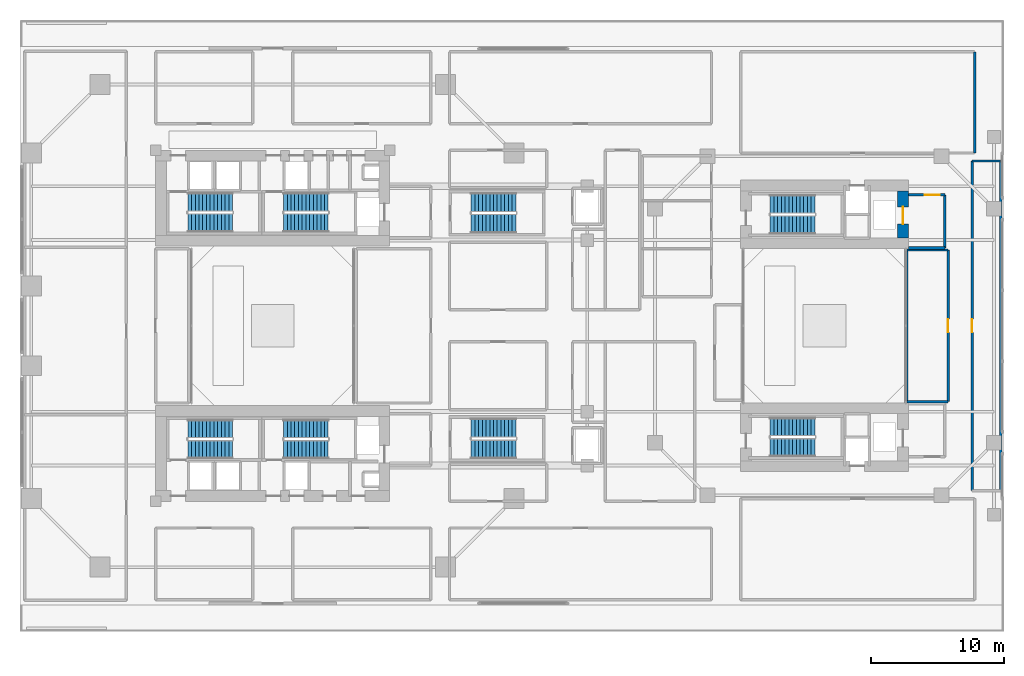
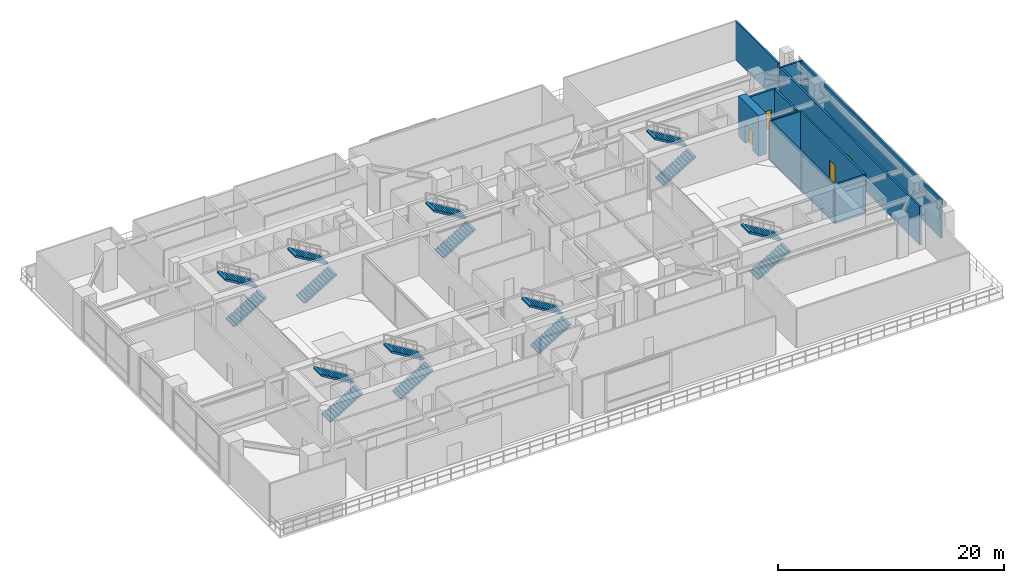
# One storey, part 15 of 19: 16 stair flights, 12 walls, 4 doors, 4 openings, 8 elements without a shape of their own.
"""IFC4 building model written with IfcOpenShell, lengths in metres."""

from ifc_helpers import new_model, si_unit, direction, frame, frame_2d, origin, place, context, subcontext, project, spatial, polyline, rectangle, outline, extrude, source, transform, mapped, material, layer, layer_set, type_object, element, fill, aggregate, save


model = new_model("IFC4")

# Units and contexts
model_context = context("Model", 3, precision=1e-05, world=origin(), true_north=direction((0.0, 1.0)))
body_context = subcontext(model_context, "Body", "Model", "MODEL_VIEW")
ifc_project = project(units=[si_unit("LENGTHUNIT", "METRE"), si_unit("AREAUNIT", "SQUARE_METRE"), si_unit("VOLUMEUNIT", "CUBIC_METRE"), si_unit("PLANEANGLEUNIT", "RADIAN"), si_unit("MASSUNIT", "GRAM", prefix="KILO"), si_unit("THERMODYNAMICTEMPERATUREUNIT", "KELVIN"), si_unit("POWERUNIT", "WATT")], contexts=[model_context])

# Site, building, storey
site_placement = place(None, origin())
site = spatial("IfcSite", under=ifc_project, at=site_placement, CompositionType="ELEMENT")
building_placement = place(site_placement, origin())
building = spatial("IfcBuilding", under=site, at=building_placement, Name="Qiaomeng Ring Towers", CompositionType="ELEMENT")
storey_placement = place(building_placement, frame((0.0, 0.0, 5.0)))
storey = spatial("IfcBuildingStorey", under=building, at=storey_placement, Name="L01", CompositionType="ELEMENT", Elevation=5.0)

# Walls
ifc_material_1 = material(Name="Autoclaved aerated concrete block", Category="concrete")
ifc_layer_1 = layer(ifc_material_1, 0.199951171875, Name="Autoclaved aerated concrete block")
ifc_layer_set_1 = layer_set([ifc_layer_1], Name="Autoclaved aerated concrete block")
wall_type_1 = type_object("IfcWallType", Name="ARC-WL-PW1", PredefinedType="PARTITIONING", material=ifc_layer_set_1)
wall_1_placement = place(storey_placement, frame((66.800048828125, 28.85009765625, 0.0), z_axis=(0.0, 0.0, 1.0), x_axis=(1.0, 0.0, 0.0)))
element("IfcWall", 1, at=wall_1_placement, inside=storey, type_object=wall_type_1, Name="L01 Interior Wall PW1", PredefinedType="PARTITIONING", context=body_context, shape_type="SweptSolid", body=[
    extrude(rectangle(XDim=2.75, YDim=0.199951171875, at=frame_2d((1.375, 0.0))), origin(), (0.0, 0.0, 1.0), 4.179931640625),
])
wall_2_placement = place(storey_placement, frame((69.550048828125, 28.85009765625, 0.0), z_axis=(0.0, 0.0, 1.0), x_axis=(0.0, 1.0, 0.0)))
element("IfcWall", 2, at=wall_2_placement, inside=storey, type_object=wall_type_1, Name="L01 Interior Wall PW1", PredefinedType="PARTITIONING", context=body_context, shape_type="SweptSolid", body=[
    extrude(rectangle(XDim=4.0, YDim=0.199951171875, at=frame_2d((2.0, 0.0))), origin(), (0.0, 0.0, 1.0), 4.179931640625),
])

# Wall, opening, door
wall_3_placement = place(storey_placement, frame((66.800048828125, 32.85009765625, 0.0), z_axis=(0.0, 0.0, 1.0), x_axis=(1.0, 0.0, 0.0)))
wall_3 = element("IfcWall", 3, at=wall_3_placement, inside=storey, type_object=wall_type_1, Name="L01 Interior Wall PW1", PredefinedType="PARTITIONING", context=body_context, shape_type="SweptSolid", body=[
    extrude(rectangle(XDim=2.75, YDim=0.199951171875, at=frame_2d((1.375, 0.0))), origin(), (0.0, 0.0, 1.0), 4.179931640625),
])
opening_1_placement = place(wall_3_placement, frame((1.25, 0.0, 0.0)))
opening_1 = element("IfcOpeningElement", 4, at=opening_1_placement, cuts=wall_3, Name="Opening FD3", PredefinedType="OPENING", context=body_context, shape_type="SweptSolid", body=[
    extrude(rectangle(XDim=1.10009765625, YDim=2.050048828125, at=frame_2d((0.550048828125, 1.02490234375))), frame((0.0, 0.10986328125, 0.0), z_axis=(0.0, -1.0, 0.0), x_axis=(1.0, 0.0, 0.0)), (0.0, 0.0, 1.0), 0.219970703125),
])
ifc_material_2 = material(Name="Galvanised steel", Category="steel")
door_type_1 = type_object("IfcDoorType", Name="ARC-DR-FD3", OperationType="NOTDEFINED", PredefinedType="DOOR", material=ifc_material_2)
shared_shape_1 = source(origin(), body_context, "Body", "SweptSolid", [
    extrude(rectangle(XDim=1.10009765625, YDim=2.050048828125, at=frame_2d((0.550048828125, 1.02490234375))), frame((0.0, 0.02490234375, 0.0), z_axis=(0.0, -1.0, 0.0), x_axis=(1.0, 0.0, 0.0)), (0.0, 0.0, 1.0), 0.050048828125),
])
door_1_placement = place(opening_1_placement, origin())
door_1 = element("IfcDoor", 5, at=door_1_placement, inside=storey, type_object=door_type_1, Name="L01 Door FD3", OperationType="SINGLE_SWING_LEFT", OverallHeight=2.050048828125, OverallWidth=1.10009765625, PredefinedType="DOOR", context=body_context, shape_type="MappedRepresentation", body=[
    mapped(shared_shape_1, transform((0.0, 0.0, 0.0), x_axis=(1.0, 0.0, 0.0), y_axis=(0.0, 1.0, 0.0), z_axis=(0.0, 0.0, 1.0), scale=1.0)),
])
fill(opening_1, door_1)

# Walls
ifc_layer_2 = layer(ifc_material_1, 0.179931640625, Name="Autoclaved aerated concrete block")
ifc_layer_set_2 = layer_set([ifc_layer_2], Name="Autoclaved aerated concrete block")
wall_type_2 = type_object("IfcWallType", Name="ARC-WL-PW2", PredefinedType="PARTITIONING", material=ifc_layer_set_2)
for number, where, z_axis, x_axis, name in (
    (6, (66.699951171875, 17.300048828125, 0.0), (0.0, 0.0, 1.0), (1.0, 0.0, 0.0), "L01 Interior Wall PW2"),
    (7, (66.699951171875, 28.699951171875, 0.0), (0.0, 0.0, 1.0), (1.0, 0.0, 0.0), "L01 Interior Wall PW2"),
):
    element("IfcWall", number, at=place(storey_placement, frame(where, z_axis=z_axis, x_axis=x_axis)), inside=storey, type_object=wall_type_2, Name=name, PredefinedType="PARTITIONING", context=body_context, shape_type="SweptSolid", body=[
        extrude(rectangle(XDim=3.10009765625, YDim=0.179931640625, at=frame_2d((1.550048828125, 0.0))), origin(), (0.0, 0.0, 1.0), 4.179931640625),
    ])
wall_4_placement = place(storey_placement, frame((66.699951171875, 17.300048828125, 0.0), z_axis=(0.0, 0.0, 1.0), x_axis=(0.0, 1.0, 0.0)))
element("IfcWall", 8, at=wall_4_placement, inside=storey, type_object=wall_type_2, Name="L01 Interior Wall PW2", PredefinedType="PARTITIONING", context=body_context, shape_type="SweptSolid", body=[
    extrude(rectangle(XDim=11.39990234375, YDim=0.179931640625, at=frame_2d((5.699951171875, 0.0))), origin(), (0.0, 0.0, 1.0), 4.179931640625),
])

# Wall, opening, door
wall_5_placement = place(storey_placement, frame((69.800048828125, 17.300048828125, 0.0), z_axis=(0.0, 0.0, 1.0), x_axis=(0.0, 1.0, 0.0)))
wall_5 = element("IfcWall", 9, at=wall_5_placement, inside=storey, type_object=wall_type_2, Name="L01 Interior Wall PW2", PredefinedType="PARTITIONING", context=body_context, shape_type="SweptSolid", body=[
    extrude(rectangle(XDim=11.39990234375, YDim=0.179931640625, at=frame_2d((5.699951171875, 0.0))), origin(), (0.0, 0.0, 1.0), 4.179931640625),
])
opening_2_placement = place(wall_5_placement, frame((5.199951171875, 0.0, 0.0)))
opening_2 = element("IfcOpeningElement", 10, at=opening_2_placement, cuts=wall_5, Name="Opening FD4", PredefinedType="OPENING", context=body_context, shape_type="SweptSolid", body=[
    extrude(rectangle(XDim=1.0, YDim=2.050048828125, at=frame_2d((0.5, 1.02490234375))), frame((0.0, 0.099853515625, 0.0), z_axis=(0.0, -1.0, 0.0), x_axis=(1.0, 0.0, 0.0)), (0.0, 0.0, 1.0), 0.199951171875),
])
ifc_material_3 = material(Name="Engineered fire-rated oak timber", Category="wood")
door_type_2 = type_object("IfcDoorType", Name="ARC-DR-FD4", OperationType="NOTDEFINED", PredefinedType="DOOR", material=ifc_material_3)
shared_shape_2 = source(origin(), body_context, "Body", "SweptSolid", [
    extrude(rectangle(XDim=1.0, YDim=2.050048828125, at=frame_2d((0.5, 1.02490234375))), frame((0.0, 0.02490234375, 0.0), z_axis=(0.0, -1.0, 0.0), x_axis=(1.0, 0.0, 0.0)), (0.0, 0.0, 1.0), 0.050048828125),
])
door_2_placement = place(opening_2_placement, origin())
door_2 = element("IfcDoor", 11, at=door_2_placement, inside=storey, type_object=door_type_2, Name="L01 L01 Health Education Seminar Room Door", OperationType="SINGLE_SWING_RIGHT", OverallHeight=2.050048828125, OverallWidth=1.0, PredefinedType="DOOR", context=body_context, shape_type="MappedRepresentation", body=[
    mapped(shared_shape_2, transform((0.0, 0.0, 0.0), x_axis=(1.0, 0.0, 0.0), y_axis=(0.0, 1.0, 0.0), z_axis=(0.0, 0.0, 1.0), scale=1.0)),
])
fill(opening_2, door_2)

# Wall
wall_6_placement = place(storey_placement, frame((71.60009765625, 35.39990234375, 0.0), z_axis=(0.0, 0.0, 1.0), x_axis=(1.0, 0.0, 0.0)))
element("IfcWall", 12, at=wall_6_placement, inside=storey, type_object=wall_type_2, Name="L01 Interior Wall PW2", PredefinedType="PARTITIONING", context=body_context, shape_type="SweptSolid", body=[
    extrude(rectangle(XDim=2.14990234375, YDim=0.179931640625, at=frame_2d((1.074951171875, 0.0))), origin(), (0.0, 0.0, 1.0), 4.179931640625),
])

# Wall, opening, door
wall_7_placement = place(storey_placement, frame((71.60009765625, 10.60009765625, 0.0), z_axis=(0.0, 0.0, 1.0), x_axis=(0.0, 1.0, 0.0)))
wall_7 = element("IfcWall", 13, at=wall_7_placement, inside=storey, type_object=wall_type_2, Name="L01 Interior Wall PW2", PredefinedType="PARTITIONING", context=body_context, shape_type="SweptSolid", body=[
    extrude(rectangle(XDim=24.7998046875, YDim=0.179931640625, at=frame_2d((12.39990234375, 0.0))), origin(), (0.0, 0.0, 1.0), 4.179931640625),
])
opening_3_placement = place(wall_7_placement, frame((11.89990234375, 0.0, 0.0)))
opening_3 = element("IfcOpeningElement", 14, at=opening_3_placement, cuts=wall_7, Name="Opening FD4", PredefinedType="OPENING", context=body_context, shape_type="SweptSolid", body=[
    extrude(rectangle(XDim=1.0, YDim=2.050048828125, at=frame_2d((0.5, 1.02490234375))), frame((0.0, 0.099853515625, 0.0), z_axis=(0.0, -1.0, 0.0), x_axis=(1.0, 0.0, 0.0)), (0.0, 0.0, 1.0), 0.199951171875),
])
door_3_placement = place(opening_3_placement, origin())
door_3 = element("IfcDoor", 15, at=door_3_placement, inside=storey, type_object=door_type_2, Name="L01 L01 Nutrition Counselling Office Door", OperationType="SINGLE_SWING_LEFT", OverallHeight=2.050048828125, OverallWidth=1.0, PredefinedType="DOOR", context=body_context, shape_type="MappedRepresentation", body=[
    mapped(shared_shape_2, transform((0.0, 0.0, 0.0), x_axis=(1.0, 0.0, 0.0), y_axis=(0.0, 1.0, 0.0), z_axis=(0.0, 0.0, 1.0), scale=1.0)),
])
fill(opening_3, door_3)

# Walls
wall_8_placement = place(storey_placement, frame((73.75, 10.60009765625, 0.0), z_axis=(0.0, 0.0, 1.0), x_axis=(0.0, 1.0, 0.0)))
element("IfcWall", 16, at=wall_8_placement, inside=storey, type_object=wall_type_2, Name="L01 Interior Wall PW2", PredefinedType="PARTITIONING", context=body_context, shape_type="SweptSolid", body=[
    extrude(rectangle(XDim=24.7998046875, YDim=0.179931640625, at=frame_2d((12.39990234375, 0.0))), origin(), (0.0, 0.0, 1.0), 4.179931640625),
])
wall_9_placement = place(storey_placement, frame((71.800048828125, 36.0, 0.0), z_axis=(0.0, 0.0, 1.0), x_axis=(0.0, 1.0, 0.0)))
element("IfcWall", 17, at=wall_9_placement, inside=storey, type_object=wall_type_2, Name="L01 Interior Wall PW2", PredefinedType="PARTITIONING", context=body_context, shape_type="SweptSolid", body=[
    extrude(rectangle(XDim=7.60009765625, YDim=0.179931640625, at=frame_2d((3.800048828125, 0.0))), origin(), (0.0, 0.0, 1.0), 4.179931640625),
])

# Wall, opening, door
ifc_material_4 = material(Name="Concrete C60", Category="concrete")
ifc_layer_3 = layer(ifc_material_4, 0.800048828125, Name="Concrete C60")
ifc_layer_set_3 = layer_set([ifc_layer_3], Name="Concrete C60")
wall_type_3 = type_object("IfcWallType", Name="STR-WL-SW1", PredefinedType="SHEAR", material=ifc_layer_set_3)
wall_10_placement = place(storey_placement, frame((66.39990234375, 29.60009765625, 0.0), z_axis=(0.0, 0.0, 1.0), x_axis=(0.0, 1.0, 0.0)))
wall_10 = element("IfcWall", 18, at=wall_10_placement, inside=storey, type_object=wall_type_3, Name="L01 T2NC east core shear wall", PredefinedType="SHEAR", context=body_context, shape_type="SweptSolid", body=[
    extrude(rectangle(XDim=3.5498046875, YDim=0.800048828125, at=frame_2d((1.77490234375, 0.0))), origin(), (0.0, 0.0, 1.0), 4.39990234375),
])
opening_4_placement = place(wall_10_placement, frame((1.050048828125, 0.0, 0.0)))
opening_4 = element("IfcOpeningElement", 19, at=opening_4_placement, cuts=wall_10, Name="Opening LD2", PredefinedType="OPENING", context=body_context, shape_type="SweptSolid", body=[
    extrude(rectangle(XDim=1.300048828125, YDim=2.050048828125, at=frame_2d((0.64990234375, 1.02490234375))), frame((0.0, 0.409912109375, 0.0), z_axis=(0.0, -1.0, 0.0), x_axis=(1.0, 0.0, 0.0)), (0.0, 0.0, 1.0), 0.820068359375),
])
ifc_material_5 = material(Name="Stainless steel 316", Category="steel")
door_type_3 = type_object("IfcDoorType", Name="ARC-DR-LD2", OperationType="NOTDEFINED", PredefinedType="DOOR", material=ifc_material_5)
shared_shape_3 = source(origin(), body_context, "Body", "SweptSolid", [
    extrude(rectangle(XDim=1.300048828125, YDim=2.050048828125, at=frame_2d((0.64990234375, 1.02490234375))), frame((0.0, 0.02490234375, 0.0), z_axis=(0.0, -1.0, 0.0), x_axis=(1.0, 0.0, 0.0)), (0.0, 0.0, 1.0), 0.050048828125),
])
door_4_placement = place(opening_4_placement, origin())
door_4 = element("IfcDoor", 20, at=door_4_placement, inside=storey, type_object=door_type_3, Name="L01 Firefighting Lift FL3 Landing Door", OperationType="SLIDING_TO_LEFT", OverallHeight=2.050048828125, OverallWidth=1.300048828125, PredefinedType="DOOR", context=body_context, shape_type="MappedRepresentation", body=[
    mapped(shared_shape_3, transform((0.0, 0.0, 0.0), x_axis=(1.0, 0.0, 0.0), y_axis=(0.0, 1.0, 0.0), z_axis=(0.0, 0.0, 1.0), scale=1.0)),
])
fill(opening_4, door_4)

# Stair, stair flights
ifc_material_6 = material(Name="Precast concrete C40", Category="concrete")
stair_type_1 = type_object("IfcStairType", Name="ARC-ST-440", PredefinedType="HALF_TURN_STAIR", material=ifc_material_6)
stair_1_placement = place(storey_placement, origin())
stair_1 = element("IfcStair", 21, at=stair_1_placement, inside=storey, type_object=stair_type_1, Name="L01 Tower 1 North Stair 1", PredefinedType="HALF_TURN_STAIR")
stair_flight_type_1 = type_object("IfcStairFlightType", Name="ARC-ST-440-FL", PredefinedType="STRAIGHT", material=ifc_material_6)
shared_shape_4 = source(origin(), body_context, "Body", "SweptSolid", [
    extrude(outline(polyline([(0.0, 0.0), (0.0, 0.169189453125), (0.280029296875, 0.169189453125), (0.280029296875, 0.33837890625), (0.56005859375, 0.33837890625), (0.56005859375, 0.5078125), (0.840087890625, 0.5078125), (0.840087890625, 0.677001953125), (1.1201171875, 0.677001953125), (1.1201171875, 0.84619140625), (1.39990234375, 0.84619140625), (1.39990234375, 1.015380859375), (1.679931640625, 1.015380859375), (1.679931640625, 1.1845703125), (1.9599609375, 1.1845703125), (1.9599609375, 1.353759765625), (2.239990234375, 1.353759765625), (2.239990234375, 1.523193359375), (2.52001953125, 1.523193359375), (2.52001953125, 1.6923828125), (2.800048828125, 1.6923828125), (2.800048828125, 1.861572265625), (3.080078125, 1.861572265625), (3.080078125, 2.03076171875), (3.360107421875, 2.03076171875), (3.360107421875, 2.199951171875), (3.360107421875, 1.855712890625), (0.289794921875, 0.0), (0.0, 0.0)])), frame((0.0, 0.699951171875, 0.0), z_axis=(0.0, -1.0, 0.0), x_axis=(1.0, 0.0, 0.0)), (0.0, 0.0, 1.0), 1.39990234375),
])
stair_flight_1_placement = place(storey_placement, frame((12.6201171875, 30.75, 0.0), z_axis=(0.0, 0.0, 1.0), x_axis=(1.0, 0.0, 0.0)))
stair_flight_1 = element("IfcStairFlight", 22, at=stair_flight_1_placement, type_object=stair_flight_type_1, Name="ST1 flight 1", NumberOfRisers=13, NumberOfTreads=12, PredefinedType="STRAIGHT", RiserHeight=0.169230769, TreadLength=0.28, context=body_context, shape_type="MappedRepresentation", body=[
    mapped(shared_shape_4, transform((0.0, 0.0, 0.0), x_axis=(1.0, 0.0, 0.0), y_axis=(0.0, 1.0, 0.0), z_axis=(0.0, 0.0, 1.0), scale=1.0)),
])
stair_flight_2_placement = place(storey_placement, frame((15.97998046875, 32.2900390625, 2.199951171875), z_axis=(0.0, 0.0, 1.0), x_axis=(-1.0, 0.0, 0.0)))
stair_flight_2 = element("IfcStairFlight", 23, at=stair_flight_2_placement, type_object=stair_flight_type_1, Name="ST1 flight 2", NumberOfRisers=13, NumberOfTreads=12, PredefinedType="STRAIGHT", RiserHeight=0.169230769, TreadLength=0.28, context=body_context, shape_type="MappedRepresentation", body=[
    mapped(shared_shape_4, transform((0.0, 0.0, 0.0), x_axis=(1.0, 0.0, 0.0), y_axis=(0.0, 1.0, 0.0), z_axis=(0.0, 0.0, 1.0), scale=1.0)),
])
aggregate(stair_1, [stair_flight_1, stair_flight_2])

stair_2_placement = place(storey_placement, origin())
stair_2 = element("IfcStair", 24, at=stair_2_placement, inside=storey, type_object=stair_type_1, Name="L01 Tower 1 North Stair 2", PredefinedType="HALF_TURN_STAIR")
stair_flight_3_placement = place(storey_placement, frame((19.820068359375, 30.75, 0.0), z_axis=(0.0, 0.0, 1.0), x_axis=(1.0, 0.0, 0.0)))
stair_flight_3 = element("IfcStairFlight", 25, at=stair_flight_3_placement, type_object=stair_flight_type_1, Name="ST2 flight 1", NumberOfRisers=13, NumberOfTreads=12, PredefinedType="STRAIGHT", RiserHeight=0.169230769, TreadLength=0.28, context=body_context, shape_type="MappedRepresentation", body=[
    mapped(shared_shape_4, transform((0.0, 0.0, 0.0), x_axis=(1.0, 0.0, 0.0), y_axis=(0.0, 1.0, 0.0), z_axis=(0.0, 0.0, 1.0), scale=1.0)),
])
stair_flight_4_placement = place(storey_placement, frame((23.179931640625, 32.2900390625, 2.199951171875), z_axis=(0.0, 0.0, 1.0), x_axis=(-1.0, 0.0, 0.0)))
stair_flight_4 = element("IfcStairFlight", 26, at=stair_flight_4_placement, type_object=stair_flight_type_1, Name="ST2 flight 2", NumberOfRisers=13, NumberOfTreads=12, PredefinedType="STRAIGHT", RiserHeight=0.169230769, TreadLength=0.28, context=body_context, shape_type="MappedRepresentation", body=[
    mapped(shared_shape_4, transform((0.0, 0.0, 0.0), x_axis=(1.0, 0.0, 0.0), y_axis=(0.0, 1.0, 0.0), z_axis=(0.0, 0.0, 1.0), scale=1.0)),
])
aggregate(stair_2, [stair_flight_3, stair_flight_4])

stair_3_placement = place(storey_placement, origin())
stair_3 = element("IfcStair", 27, at=stair_3_placement, inside=storey, type_object=stair_type_1, Name="L01 Tower 1 South Stair 3", PredefinedType="HALF_TURN_STAIR")
stair_flight_5_placement = place(storey_placement, frame((12.6201171875, 13.7099609375, 0.0), z_axis=(0.0, 0.0, 1.0), x_axis=(1.0, 0.0, 0.0)))
stair_flight_5 = element("IfcStairFlight", 28, at=stair_flight_5_placement, type_object=stair_flight_type_1, Name="ST3 flight 1", NumberOfRisers=13, NumberOfTreads=12, PredefinedType="STRAIGHT", RiserHeight=0.169230769, TreadLength=0.28, context=body_context, shape_type="MappedRepresentation", body=[
    mapped(shared_shape_4, transform((0.0, 0.0, 0.0), x_axis=(1.0, 0.0, 0.0), y_axis=(0.0, 1.0, 0.0), z_axis=(0.0, 0.0, 1.0), scale=1.0)),
])
stair_flight_6_placement = place(storey_placement, frame((15.97998046875, 15.25, 2.199951171875), z_axis=(0.0, 0.0, 1.0), x_axis=(-1.0, 0.0, 0.0)))
stair_flight_6 = element("IfcStairFlight", 29, at=stair_flight_6_placement, type_object=stair_flight_type_1, Name="ST3 flight 2", NumberOfRisers=13, NumberOfTreads=12, PredefinedType="STRAIGHT", RiserHeight=0.169230769, TreadLength=0.28, context=body_context, shape_type="MappedRepresentation", body=[
    mapped(shared_shape_4, transform((0.0, 0.0, 0.0), x_axis=(1.0, 0.0, 0.0), y_axis=(0.0, 1.0, 0.0), z_axis=(0.0, 0.0, 1.0), scale=1.0)),
])
aggregate(stair_3, [stair_flight_5, stair_flight_6])

stair_4_placement = place(storey_placement, origin())
stair_4 = element("IfcStair", 30, at=stair_4_placement, inside=storey, type_object=stair_type_1, Name="L01 Tower 1 South Stair 4", PredefinedType="HALF_TURN_STAIR")
stair_flight_7_placement = place(storey_placement, frame((19.820068359375, 13.7099609375, 0.0), z_axis=(0.0, 0.0, 1.0), x_axis=(1.0, 0.0, 0.0)))
stair_flight_7 = element("IfcStairFlight", 31, at=stair_flight_7_placement, type_object=stair_flight_type_1, Name="ST4 flight 1", NumberOfRisers=13, NumberOfTreads=12, PredefinedType="STRAIGHT", RiserHeight=0.169230769, TreadLength=0.28, context=body_context, shape_type="MappedRepresentation", body=[
    mapped(shared_shape_4, transform((0.0, 0.0, 0.0), x_axis=(1.0, 0.0, 0.0), y_axis=(0.0, 1.0, 0.0), z_axis=(0.0, 0.0, 1.0), scale=1.0)),
])
stair_flight_8_placement = place(storey_placement, frame((23.179931640625, 15.25, 2.199951171875), z_axis=(0.0, 0.0, 1.0), x_axis=(-1.0, 0.0, 0.0)))
stair_flight_8 = element("IfcStairFlight", 32, at=stair_flight_8_placement, type_object=stair_flight_type_1, Name="ST4 flight 2", NumberOfRisers=13, NumberOfTreads=12, PredefinedType="STRAIGHT", RiserHeight=0.169230769, TreadLength=0.28, context=body_context, shape_type="MappedRepresentation", body=[
    mapped(shared_shape_4, transform((0.0, 0.0, 0.0), x_axis=(1.0, 0.0, 0.0), y_axis=(0.0, 1.0, 0.0), z_axis=(0.0, 0.0, 1.0), scale=1.0)),
])
aggregate(stair_4, [stair_flight_7, stair_flight_8])

stair_5_placement = place(storey_placement, origin())
stair_5 = element("IfcStair", 33, at=stair_5_placement, inside=storey, type_object=stair_type_1, Name="L01 Companion North Stair 5", PredefinedType="HALF_TURN_STAIR")
stair_flight_9_placement = place(storey_placement, frame((56.419921875, 30.60009765625, 0.0), z_axis=(0.0, 0.0, 1.0), x_axis=(1.0, 0.0, 0.0)))
stair_flight_9 = element("IfcStairFlight", 34, at=stair_flight_9_placement, type_object=stair_flight_type_1, Name="ST5 flight 1", NumberOfRisers=13, NumberOfTreads=12, PredefinedType="STRAIGHT", RiserHeight=0.169230769, TreadLength=0.28, context=body_context, shape_type="MappedRepresentation", body=[
    mapped(shared_shape_4, transform((0.0, 0.0, 0.0), x_axis=(1.0, 0.0, 0.0), y_axis=(0.0, 1.0, 0.0), z_axis=(0.0, 0.0, 1.0), scale=1.0)),
])
stair_flight_10_placement = place(storey_placement, frame((59.780029296875, 32.139892578125, 2.199951171875), z_axis=(0.0, 0.0, 1.0), x_axis=(-1.0, 0.0, 0.0)))
stair_flight_10 = element("IfcStairFlight", 35, at=stair_flight_10_placement, type_object=stair_flight_type_1, Name="ST5 flight 2", NumberOfRisers=13, NumberOfTreads=12, PredefinedType="STRAIGHT", RiserHeight=0.169230769, TreadLength=0.28, context=body_context, shape_type="MappedRepresentation", body=[
    mapped(shared_shape_4, transform((0.0, 0.0, 0.0), x_axis=(1.0, 0.0, 0.0), y_axis=(0.0, 1.0, 0.0), z_axis=(0.0, 0.0, 1.0), scale=1.0)),
])
aggregate(stair_5, [stair_flight_9, stair_flight_10])

stair_6_placement = place(storey_placement, origin())
stair_6 = element("IfcStair", 36, at=stair_6_placement, inside=storey, type_object=stair_type_1, Name="L01 Companion South Stair 6", PredefinedType="HALF_TURN_STAIR")
stair_flight_11_placement = place(storey_placement, frame((56.419921875, 13.860107421875, 0.0), z_axis=(0.0, 0.0, 1.0), x_axis=(1.0, 0.0, 0.0)))
stair_flight_11 = element("IfcStairFlight", 37, at=stair_flight_11_placement, type_object=stair_flight_type_1, Name="ST6 flight 1", NumberOfRisers=13, NumberOfTreads=12, PredefinedType="STRAIGHT", RiserHeight=0.169230769, TreadLength=0.28, context=body_context, shape_type="MappedRepresentation", body=[
    mapped(shared_shape_4, transform((0.0, 0.0, 0.0), x_axis=(1.0, 0.0, 0.0), y_axis=(0.0, 1.0, 0.0), z_axis=(0.0, 0.0, 1.0), scale=1.0)),
])
stair_flight_12_placement = place(storey_placement, frame((59.780029296875, 15.39990234375, 2.199951171875), z_axis=(0.0, 0.0, 1.0), x_axis=(-1.0, 0.0, 0.0)))
stair_flight_12 = element("IfcStairFlight", 38, at=stair_flight_12_placement, type_object=stair_flight_type_1, Name="ST6 flight 2", NumberOfRisers=13, NumberOfTreads=12, PredefinedType="STRAIGHT", RiserHeight=0.169230769, TreadLength=0.28, context=body_context, shape_type="MappedRepresentation", body=[
    mapped(shared_shape_4, transform((0.0, 0.0, 0.0), x_axis=(1.0, 0.0, 0.0), y_axis=(0.0, 1.0, 0.0), z_axis=(0.0, 0.0, 1.0), scale=1.0)),
])
aggregate(stair_6, [stair_flight_11, stair_flight_12])

stair_type_2 = type_object("IfcStairType", Name="ARC-ST-POD", PredefinedType="HALF_TURN_STAIR", material=ifc_material_6)
stair_7_placement = place(storey_placement, origin())
stair_7 = element("IfcStair", 39, at=stair_7_placement, inside=storey, type_object=stair_type_2, Name="L01 Podium Clinic North Stair 7", PredefinedType="HALF_TURN_STAIR")
stair_flight_type_2 = type_object("IfcStairFlightType", Name="ARC-ST-POD-FL", PredefinedType="STRAIGHT", material=ifc_material_6)
shared_shape_5 = source(origin(), body_context, "Body", "SweptSolid", [
    extrude(outline(polyline([(0.0, 0.0), (0.0, 0.169189453125), (0.280029296875, 0.169189453125), (0.280029296875, 0.33837890625), (0.56005859375, 0.33837890625), (0.56005859375, 0.5078125), (0.840087890625, 0.5078125), (0.840087890625, 0.677001953125), (1.1201171875, 0.677001953125), (1.1201171875, 0.84619140625), (1.39990234375, 0.84619140625), (1.39990234375, 1.015380859375), (1.679931640625, 1.015380859375), (1.679931640625, 1.1845703125), (1.9599609375, 1.1845703125), (1.9599609375, 1.353759765625), (2.239990234375, 1.353759765625), (2.239990234375, 1.523193359375), (2.52001953125, 1.523193359375), (2.52001953125, 1.6923828125), (2.800048828125, 1.6923828125), (2.800048828125, 1.861572265625), (3.080078125, 1.861572265625), (3.080078125, 2.03076171875), (3.360107421875, 2.03076171875), (3.360107421875, 2.199951171875), (3.360107421875, 1.855712890625), (0.289794921875, 0.0), (0.0, 0.0)])), frame((0.0, 0.72509765625, 0.0), z_axis=(0.0, -1.0, 0.0), x_axis=(1.0, 0.0, 0.0)), (0.0, 0.0, 1.0), 1.449951171875),
])
stair_flight_13_placement = place(storey_placement, frame((33.929931640625, 30.68505859375, 0.0), z_axis=(0.0, 0.0, 1.0), x_axis=(1.0, 0.0, 0.0)))
stair_flight_13 = element("IfcStairFlight", 40, at=stair_flight_13_placement, type_object=stair_flight_type_2, Name="ST7 flight 1", NumberOfRisers=13, NumberOfTreads=12, PredefinedType="STRAIGHT", RiserHeight=0.169230769, TreadLength=0.28, context=body_context, shape_type="MappedRepresentation", body=[
    mapped(shared_shape_5, transform((0.0, 0.0, 0.0), x_axis=(1.0, 0.0, 0.0), y_axis=(0.0, 1.0, 0.0), z_axis=(0.0, 0.0, 1.0), scale=1.0)),
])
stair_flight_14_placement = place(storey_placement, frame((37.2900390625, 32.27490234375, 2.199951171875), z_axis=(0.0, 0.0, 1.0), x_axis=(-1.0, 0.0, 0.0)))
stair_flight_14 = element("IfcStairFlight", 41, at=stair_flight_14_placement, type_object=stair_flight_type_2, Name="ST7 flight 2", NumberOfRisers=13, NumberOfTreads=12, PredefinedType="STRAIGHT", RiserHeight=0.169230769, TreadLength=0.28, context=body_context, shape_type="MappedRepresentation", body=[
    mapped(shared_shape_5, transform((0.0, 0.0, 0.0), x_axis=(1.0, 0.0, 0.0), y_axis=(0.0, 1.0, 0.0), z_axis=(0.0, 0.0, 1.0), scale=1.0)),
])
aggregate(stair_7, [stair_flight_13, stair_flight_14])

stair_8_placement = place(storey_placement, origin())
stair_8 = element("IfcStair", 42, at=stair_8_placement, inside=storey, type_object=stair_type_2, Name="L01 Podium Clinic South Stair 8", PredefinedType="HALF_TURN_STAIR")
stair_flight_15_placement = place(storey_placement, frame((33.929931640625, 13.72509765625, 0.0), z_axis=(0.0, 0.0, 1.0), x_axis=(1.0, 0.0, 0.0)))
stair_flight_15 = element("IfcStairFlight", 43, at=stair_flight_15_placement, type_object=stair_flight_type_2, Name="ST8 flight 1", NumberOfRisers=13, NumberOfTreads=12, PredefinedType="STRAIGHT", RiserHeight=0.169230769, TreadLength=0.28, context=body_context, shape_type="MappedRepresentation", body=[
    mapped(shared_shape_5, transform((0.0, 0.0, 0.0), x_axis=(1.0, 0.0, 0.0), y_axis=(0.0, 1.0, 0.0), z_axis=(0.0, 0.0, 1.0), scale=1.0)),
])
stair_flight_16_placement = place(storey_placement, frame((37.2900390625, 15.31494140625, 2.199951171875), z_axis=(0.0, 0.0, 1.0), x_axis=(-1.0, 0.0, 0.0)))
stair_flight_16 = element("IfcStairFlight", 44, at=stair_flight_16_placement, type_object=stair_flight_type_2, Name="ST8 flight 2", NumberOfRisers=13, NumberOfTreads=12, PredefinedType="STRAIGHT", RiserHeight=0.169230769, TreadLength=0.28, context=body_context, shape_type="MappedRepresentation", body=[
    mapped(shared_shape_5, transform((0.0, 0.0, 0.0), x_axis=(1.0, 0.0, 0.0), y_axis=(0.0, 1.0, 0.0), z_axis=(0.0, 0.0, 1.0), scale=1.0)),
])
aggregate(stair_8, [stair_flight_15, stair_flight_16])

save(model, "model.ifc")
